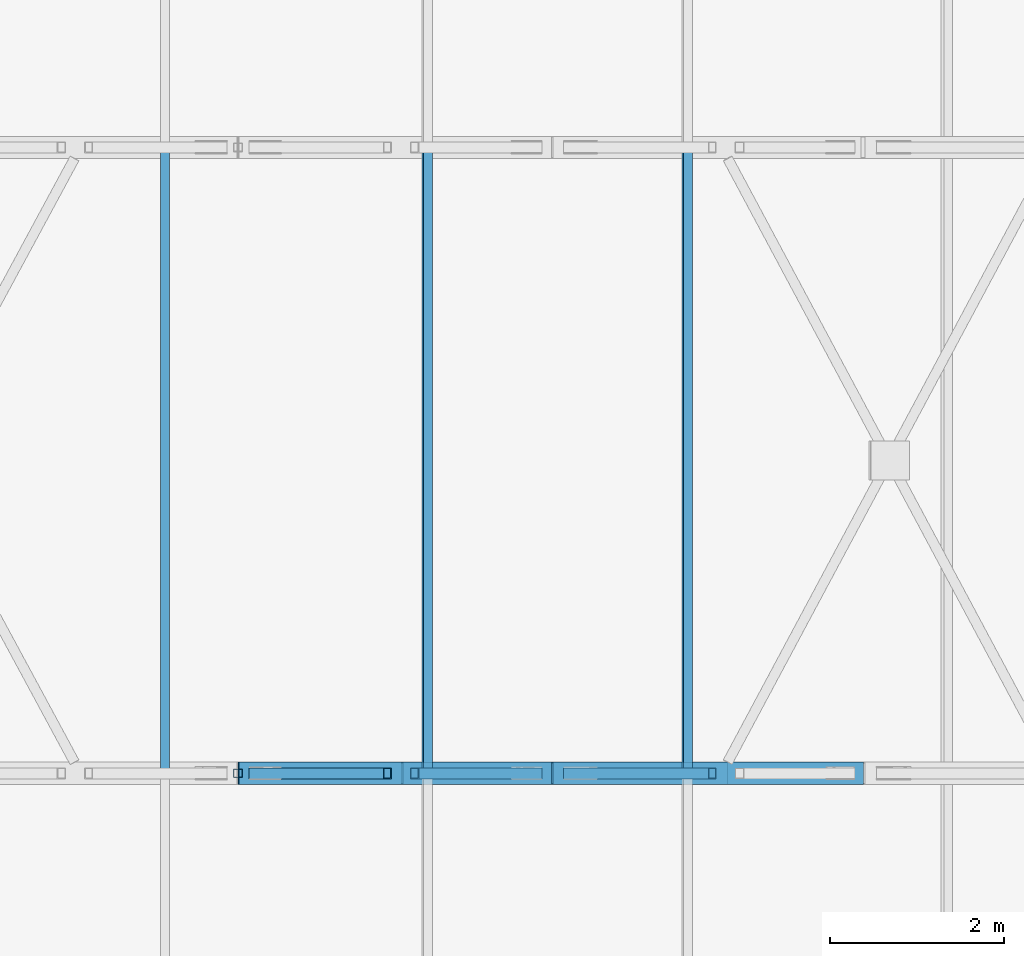
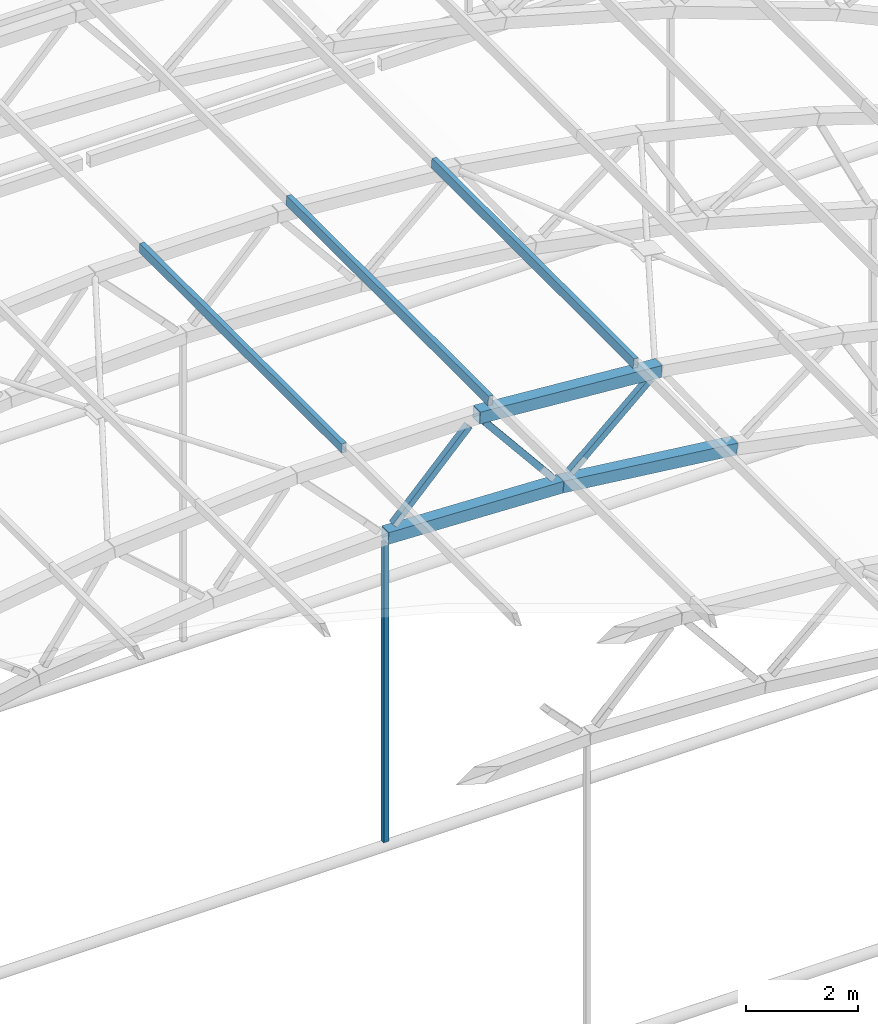
# One storey, part 20 of 127: 10 members.
"""IFC4 building model written with IfcOpenShell, lengths in metres."""

from ifc_helpers import new_model, si_unit, direction, frame, origin, origin_2d, place, context, subcontext, project, spatial, hollow_rectangle, extrude, material, material_profile, profile_set, type_object, element, save


model = new_model("IFC4")

# Units and contexts
model_context = context("Model", 3, precision=1e-05, world=origin(), true_north=direction((0.0, 1.0)))
body_context = subcontext(model_context, "Body", "Model", "MODEL_VIEW")
ifc_project = project(units=[si_unit("LENGTHUNIT", "METRE"), si_unit("AREAUNIT", "SQUARE_METRE"), si_unit("VOLUMEUNIT", "CUBIC_METRE"), si_unit("PLANEANGLEUNIT", "RADIAN"), si_unit("MASSUNIT", "GRAM", prefix="KILO")], contexts=[model_context])

# Site, building, storey
site_placement = place(None, origin())
site = spatial("IfcSite", under=ifc_project, at=site_placement, CompositionType="ELEMENT")
building_placement = place(site_placement, origin())
building = spatial("IfcBuilding", under=site, at=building_placement, Name="Verrick Yard Athletic Hall", CompositionType="ELEMENT")
storey_placement = place(building_placement, frame((0.0, 0.0, 14.0)))
storey = spatial("IfcBuildingStorey", under=building, at=storey_placement, Name="L03", CompositionType="ELEMENT", Elevation=14.0)

# Members
ifc_material = material(Name="Structural steel HSS Class C 350W (CSA G40.20/G40.21)", Category="steel")
ifc_material_profile_1 = material_profile(ifc_material, hollow_rectangle(XDim=0.25390625, YDim=0.25390625, WallThickness=0.009521484375, at=origin_2d()), Name="HSS254x254x9.5")
ifc_profile_set_1 = profile_set([ifc_material_profile_1], Name="Structural steel HSS Class C 350W (CSA G40.20/G40.21)")
member_type_1 = type_object("IfcMemberType", Name="HB bottom chord HSS254x254x9.5", PredefinedType="CHORD", material=ifc_profile_set_1)
for number, where, z_axis, x_axis, name in (
    (1, (52.0048828125, 86.39990234375, 6.757080078125), (0.999229864493, 0.0, -0.039238729647), (0.0, 1.0, 0.0), "Truss TB3 bottom chord 8"),
    (2, (55.608154296875, 86.39990234375, 6.615234375), (0.993094882284, 0.0, -0.117313915545), (0.0, 1.0, 0.0), "Truss TB3 bottom chord 9"),
):
    element("IfcMember", number, at=place(storey_placement, frame(where, z_axis=z_axis, x_axis=x_axis)), inside=storey, type_object=member_type_1, Name=name, PredefinedType="CHORD", context=body_context, shape_type="SweptSolid", body=[
        extrude(hollow_rectangle(XDim=0.25390625, YDim=0.25390625, WallThickness=0.009521484375, at=origin_2d()), origin(), (0.0, 0.0, 1.0), 3.59619140625),
    ])
ifc_material_profile_2 = material_profile(ifc_material, hollow_rectangle(XDim=0.1015625, YDim=0.203125, WallThickness=0.009521484375, at=origin_2d()), Name="HSS203x102x9.5")
ifc_profile_set_2 = profile_set([ifc_material_profile_2], Name="Structural steel HSS Class C 350W (CSA G40.20/G40.21)")
member_type_2 = type_object("IfcMemberType", Name="HB purlin HSS203x102x9.5", PredefinedType="PURLIN", material=ifc_profile_set_2)
for number, where, z_axis, x_axis, name in (
    (3, (51.15966796875, 86.39990234375, 8.948974609375), (0.0, 1.0, 0.0), (-1.0, 0.0, 0.0), "HB-PU-B-3-9"),
    (4, (54.1767578125, 86.39990234375, 8.92626953125), (0.0, 1.0, 0.0), (-0.996927304266, 0.0, 0.078332305011), "HB-PU-B-3-10"),
    (5, (57.16748046875, 86.39990234375, 8.69140625), (0.0, 1.0, 0.0), (-0.996927304266, 0.0, 0.078332305011), "HB-PU-B-3-11"),
):
    element("IfcMember", number, at=place(storey_placement, frame(where, z_axis=z_axis, x_axis=x_axis)), inside=storey, type_object=member_type_2, Name=name, PredefinedType="PURLIN", context=body_context, shape_type="SweptSolid", body=[
        extrude(hollow_rectangle(XDim=0.1015625, YDim=0.203125, WallThickness=0.009521484375, at=origin_2d()), origin(), (0.0, 0.0, 1.0), 7.2001953125),
    ])
ifc_material_profile_3 = material_profile(ifc_material, hollow_rectangle(XDim=0.25390625, YDim=0.25390625, WallThickness=0.009521484375, at=origin_2d()), Name="HSS254x254x9.5")
ifc_profile_set_3 = profile_set([ifc_material_profile_3], Name="Structural steel HSS Class C 350W (CSA G40.20/G40.21)")
member_type_3 = type_object("IfcMemberType", Name="HB top chord HSS254x254x9.5", PredefinedType="CHORD", material=ifc_profile_set_3)
member_1_placement = place(storey_placement, frame((53.886474609375, 86.39990234375, 8.719970703125), z_axis=(0.99692762922, 0.0, -0.07832816925), x_axis=(0.0, 1.0, 0.0)))
element("IfcMember", 6, at=member_1_placement, inside=storey, type_object=member_type_3, Name="Truss TB3 top chord 9", PredefinedType="CHORD", context=body_context, shape_type="SweptSolid", body=[
    extrude(hollow_rectangle(XDim=0.25390625, YDim=0.25390625, WallThickness=0.009521484375, at=origin_2d()), origin(), (0.0, 0.0, 1.0), 3.752685546875),
])
ifc_material_profile_4 = material_profile(ifc_material, hollow_rectangle(XDim=0.1015625, YDim=0.1015625, WallThickness=0.00634765625, at=origin_2d()), Name="HSS102x102x6.4")
ifc_profile_set_4 = profile_set([ifc_material_profile_4], Name="Structural steel HSS Class C 350W (CSA G40.20/G40.21)")
member_type_4 = type_object("IfcMemberType", Name="HB truss hanger HSS102x102x6.4", PredefinedType="MEMBER", material=ifc_profile_set_4)
member_2_placement = place(storey_placement, frame((52.0, 86.39990234375, 6.628173828125), z_axis=(0.0, 0.0, -1.0), x_axis=(0.0, -1.0, 0.0)))
element("IfcMember", 7, at=member_2_placement, inside=storey, type_object=member_type_4, Name="Truss TB3 hanger 2", PredefinedType="MEMBER", context=body_context, shape_type="SweptSolid", body=[
    extrude(hollow_rectangle(XDim=0.1015625, YDim=0.1015625, WallThickness=0.00634765625, at=origin_2d()), origin(), (0.0, 0.0, 1.0), 6.5185546875),
])
ifc_material_profile_5 = material_profile(ifc_material, hollow_rectangle(XDim=0.126953125, YDim=0.126953125, WallThickness=0.009521484375, at=origin_2d()), Name="HSS127x127x9.5")
ifc_profile_set_5 = profile_set([ifc_material_profile_5], Name="Structural steel HSS Class C 350W (CSA G40.20/G40.21)")
member_type_5 = type_object("IfcMemberType", Name="HB truss web HSS127x127x9.5", PredefinedType="BRACE", material=ifc_profile_set_5)
member_3_placement = place(storey_placement, frame((52.172119140625, 86.39990234375, 6.936767578125), z_axis=(0.691917233653, 0.0, 0.721976829112), x_axis=(0.0, 1.0, 0.0)))
element("IfcMember", 8, at=member_3_placement, inside=storey, type_object=member_type_5, Name="Truss TB3 web 15", PredefinedType="BRACE", context=body_context, shape_type="SweptSolid", body=[
    extrude(hollow_rectangle(XDim=0.126953125, YDim=0.126953125, WallThickness=0.009521484375, at=origin_2d()), origin(), (0.0, 0.0, 1.0), 2.2333984375),
])
for number, where, z_axis, x_axis, name in (
    (9, (54.03125, 86.39990234375, 8.537109375), (0.633267548908, 0.0, -0.773932950262), (0.0, 1.0, 0.0), "Truss TB3 web 16"),
    (10, (55.788818359375, 86.39990234375, 6.781494140625), (0.746389338881, 0.0, 0.66550954524), (0.0, 1.0, 0.0), "Truss TB3 web 17"),
):
    element("IfcMember", number, at=place(storey_placement, frame(where, z_axis=z_axis, x_axis=x_axis)), inside=storey, type_object=member_type_5, Name=name, PredefinedType="BRACE", context=body_context, shape_type="SweptSolid", body=[
        extrude(hollow_rectangle(XDim=0.126953125, YDim=0.126953125, WallThickness=0.009521484375, at=origin_2d()), origin(), (0.0, 0.0, 1.0), 2.233642578125),
    ])

save(model, "model.ifc")
